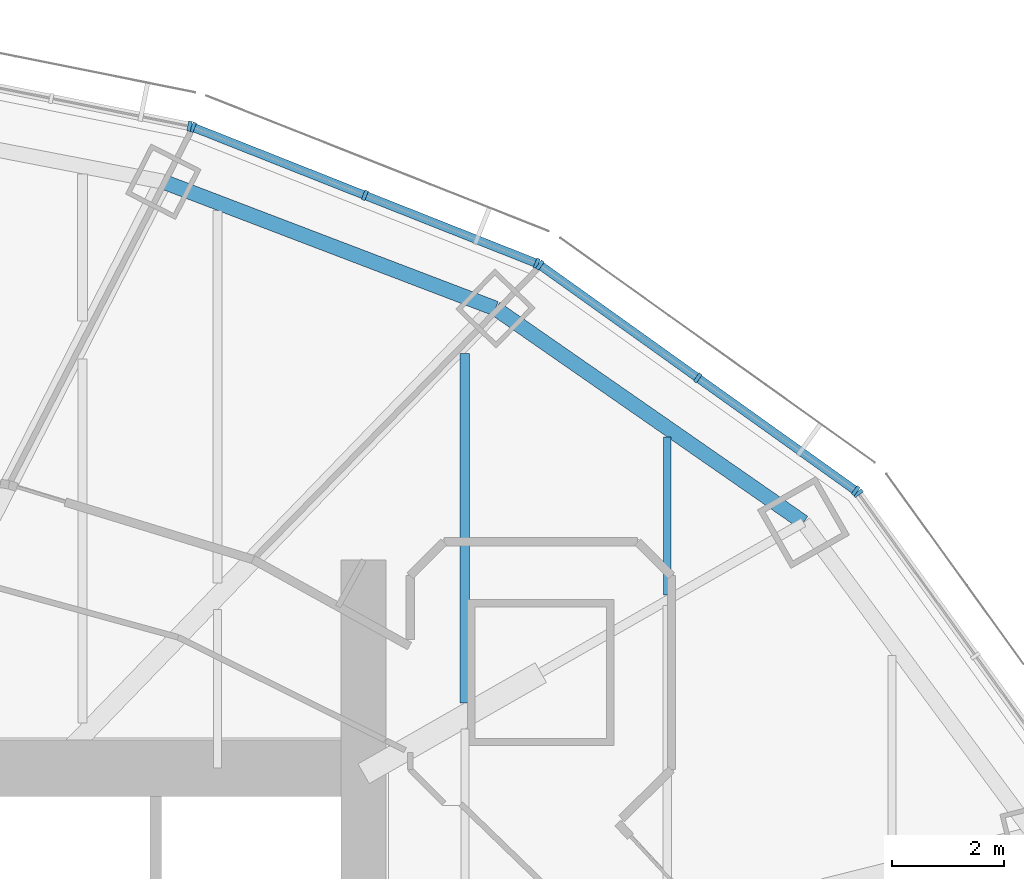
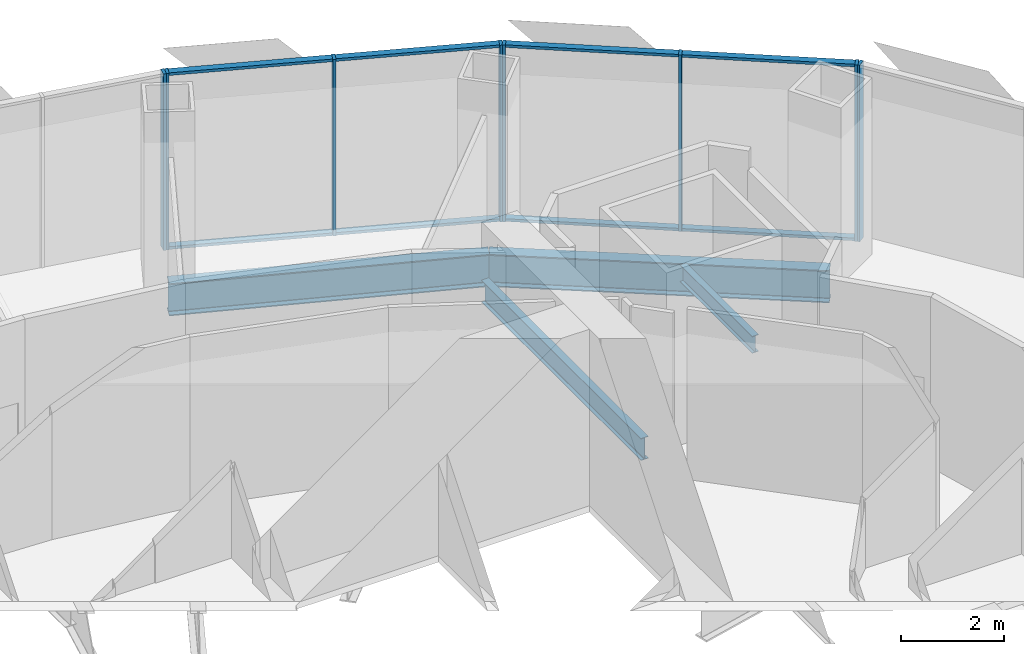
# One storey, part 9 of 19: 16 members, 4 beams, 4 elements without a shape of their own.
"""IFC4 building model written with IfcOpenShell, lengths in metres."""

from ifc_helpers import new_model, si_unit, direction, frame, origin, origin_2d, place, context, subcontext, project, spatial, rectangle, i_section, extrude, material, material_profile, profile_set, type_object, element, aggregate, save


model = new_model("IFC4")

# Units and contexts
model_context = context("Model", 3, precision=1e-05, world=origin(), true_north=direction((0.0, 1.0)))
body_context = subcontext(model_context, "Body", "Model", "MODEL_VIEW")
ifc_project = project(units=[si_unit("LENGTHUNIT", "METRE"), si_unit("AREAUNIT", "SQUARE_METRE"), si_unit("VOLUMEUNIT", "CUBIC_METRE"), si_unit("PLANEANGLEUNIT", "RADIAN"), si_unit("MASSUNIT", "GRAM", prefix="KILO")], contexts=[model_context])

# Site, building, storey
site_placement = place(None, origin())
site = spatial("IfcSite", under=ifc_project, at=site_placement, CompositionType="ELEMENT")
building_placement = place(site_placement, origin())
building = spatial("IfcBuilding", under=site, at=building_placement, Name="Lantaw Convention Tower", CompositionType="ELEMENT")
storey_placement = place(building_placement, frame((0.0, 0.0, 245.199951171875)))
storey = spatial("IfcBuildingStorey", under=building, at=storey_placement, Name="L57", CompositionType="ELEMENT", Elevation=245.199951171875)

# Beams
ifc_material_1 = material(Name="Steel ASTM A992", Category="steel")
ifc_material_profile_1 = material_profile(ifc_material_1, i_section(OverallWidth=0.2666015625, OverallDepth=0.76953125, WebThickness=0.015625, FlangeThickness=0.025390625, FilletRadius=0.0126953125, at=origin_2d()), Name="W30X132")
ifc_profile_set_1 = profile_set([ifc_material_profile_1], Name="Steel ASTM A992")
beam_type_1 = type_object("IfcBeamType", Name="Beam E W30X132", PredefinedType="SPANDREL", material=ifc_profile_set_1)
beam_1_placement = place(storey_placement, frame((20.423095703125, 11.67041015625, -0.53466796875), z_axis=(-0.82135329406, 0.570419815869, 0.0), x_axis=(-0.570419815869, -0.82135329406, 0.0)))
element("IfcBeam", 1, at=beam_1_placement, inside=storey, type_object=beam_type_1, Name="Edge beam 3", PredefinedType="SPANDREL", context=body_context, shape_type="SweptSolid", body=[
    extrude(i_section(OverallWidth=0.2666015625, OverallDepth=0.76953125, WebThickness=0.015625, FlangeThickness=0.025390625, FilletRadius=0.0126953125, at=origin_2d()), origin(), (0.0, 0.0, 1.0), 6.67041015625),
])
beam_2_placement = place(storey_placement, frame((14.9443359375, 15.475341796875, -0.53466796875), z_axis=(-0.934234988, 0.356658081637, 0.0), x_axis=(-0.356658081637, -0.934234988, 0.0)))
element("IfcBeam", 2, at=beam_2_placement, inside=storey, type_object=beam_type_1, Name="Edge beam 4", PredefinedType="SPANDREL", context=body_context, shape_type="SweptSolid", body=[
    extrude(i_section(OverallWidth=0.2666015625, OverallDepth=0.76953125, WebThickness=0.015625, FlangeThickness=0.025390625, FilletRadius=0.0126953125, at=origin_2d()), origin(), (0.0, 0.0, 1.0), 6.32568359375),
])
ifc_material_profile_2 = material_profile(ifc_material_1, i_section(OverallWidth=0.140380859375, OverallDepth=0.40380859375, WebThickness=0.007080078125, FlangeThickness=0.01123046875, FilletRadius=0.01025390625, at=origin_2d()), Name="W16X31")
ifc_profile_set_2 = profile_set([ifc_material_profile_2], Name="Steel ASTM A992")
beam_type_2 = type_object("IfcBeamType", Name="Beam J W16X31", PredefinedType="JOIST", material=ifc_profile_set_2)
beam_3_placement = place(storey_placement, frame((18.0, 10.380859375, -0.351806640625), z_axis=(0.0, 1.0, 0.0), x_axis=(-1.0, 0.0, 0.0)))
element("IfcBeam", 3, at=beam_3_placement, inside=storey, type_object=beam_type_2, Name="Floor joist", PredefinedType="JOIST", context=body_context, shape_type="SweptSolid", body=[
    extrude(i_section(OverallWidth=0.140380859375, OverallDepth=0.40380859375, WebThickness=0.007080078125, FlangeThickness=0.01123046875, FilletRadius=0.01025390625, at=origin_2d()), origin(), (0.0, 0.0, 1.0), 2.81005859375),
])
ifc_material_profile_3 = material_profile(ifc_material_1, i_section(OverallWidth=0.1650390625, OverallDepth=0.52587890625, WebThickness=0.0087890625, FlangeThickness=0.011474609375, FilletRadius=0.0126953125, at=origin_2d()), Name="W21X44")
ifc_profile_set_3 = profile_set([ifc_material_profile_3], Name="Steel ASTM A992")
beam_type_3 = type_object("IfcBeamType", Name="Beam J W21X44", PredefinedType="JOIST", material=ifc_profile_set_3)
beam_4_placement = place(storey_placement, frame((14.39990234375, 8.461181640625, -0.412841796875), z_axis=(0.0, 1.0, 0.0), x_axis=(-1.0, 0.0, 0.0)))
element("IfcBeam", 4, at=beam_4_placement, inside=storey, type_object=beam_type_3, Name="Floor joist", PredefinedType="JOIST", context=body_context, shape_type="SweptSolid", body=[
    extrude(i_section(OverallWidth=0.1650390625, OverallDepth=0.52587890625, WebThickness=0.0087890625, FlangeThickness=0.011474609375, FilletRadius=0.0126953125, at=origin_2d()), origin(), (0.0, 0.0, 1.0), 6.214599609375),
])

# Curtain wall, member
ifc_material_2 = material(Name="Aluminium framed curtain wall", Category="aluminium")
curtain_wall_type = type_object("IfcCurtainWallType", Name="Office curtain wall high rise, pale aluminium", PredefinedType="USERDEFINED", material=ifc_material_2)
curtain_wall_1_placement = place(storey_placement, origin())
curtain_wall_1 = element("IfcCurtainWall", 5, at=curtain_wall_1_placement, inside=storey, type_object=curtain_wall_type, Name="Office curtain wall high rise, pale aluminium L57", ObjectType="UNITISED CURTAIN WALL", PredefinedType="USERDEFINED")
ifc_material_3 = material(Name="Aluminium 6063-T6", Category="aluminium")
ifc_material_profile_4 = material_profile(ifc_material_3, rectangle(XDim=0.179931640625, YDim=0.06494140625, at=origin_2d()), Name="CW-O2 mullion 65x180")
ifc_profile_set_4 = profile_set([ifc_material_profile_4], Name="Aluminium 6063-T6")
member_type_1 = type_object("IfcMemberType", Name="CW-O2 mullion 65x180", PredefinedType="MULLION", material=ifc_profile_set_4)
member_1_placement = place(storey_placement, frame((21.397216796875, 12.189697265625, -0.14990234375), z_axis=(0.0, 0.0, 1.0), x_axis=(-0.810919559405, -0.585157643865, 0.0)))
member_1 = element("IfcMember", 6, at=member_1_placement, type_object=member_type_1, Name="CW-O2 mullion 3", PredefinedType="MULLION", context=body_context, shape_type="SweptSolid", body=[
    extrude(rectangle(XDim=0.179931640625, YDim=0.06494140625, at=origin_2d()), origin(), (0.0, 0.0, 1.0), 4.199951171875),
])
aggregate(curtain_wall_1, [member_1])

# Curtain wall, members
curtain_wall_2_placement = place(storey_placement, origin())
curtain_wall_2 = element("IfcCurtainWall", 7, at=curtain_wall_2_placement, inside=storey, type_object=curtain_wall_type, Name="Office curtain wall high rise, pale aluminium L57", ObjectType="UNITISED CURTAIN WALL", PredefinedType="USERDEFINED")
member_2_placement = place(storey_placement, frame((21.3515625, 12.23486328125, -0.14990234375), z_axis=(0.0, 0.0, 1.0), x_axis=(-0.581323487281, -0.813672540482, 0.0)))
member_2 = element("IfcMember", 8, at=member_2_placement, type_object=member_type_1, Name="CW-O2 mullion 1", PredefinedType="MULLION", context=body_context, shape_type="SweptSolid", body=[
    extrude(rectangle(XDim=0.179931640625, YDim=0.06494140625, at=origin_2d()), origin(), (0.0, 0.0, 1.0), 4.199951171875),
])
member_3_placement = place(storey_placement, frame((18.543212890625, 14.241455078125, -0.14990234375), z_axis=(0.0, 0.0, 1.0), x_axis=(-0.581323487281, -0.813672540482, 0.0)))
member_3 = element("IfcMember", 9, at=member_3_placement, type_object=member_type_1, Name="CW-O2 mullion 2", PredefinedType="MULLION", context=body_context, shape_type="SweptSolid", body=[
    extrude(rectangle(XDim=0.179931640625, YDim=0.06494140625, at=origin_2d()), origin(), (0.0, 0.0, 1.0), 4.199951171875),
])
member_4_placement = place(storey_placement, frame((15.73486328125, 16.247802734375, -0.14990234375), z_axis=(0.0, 0.0, 1.0), x_axis=(-0.581323487281, -0.813672540482, 0.0)))
member_4 = element("IfcMember", 10, at=member_4_placement, type_object=member_type_1, Name="CW-O2 mullion 3", PredefinedType="MULLION", context=body_context, shape_type="SweptSolid", body=[
    extrude(rectangle(XDim=0.179931640625, YDim=0.06494140625, at=origin_2d()), origin(), (0.0, 0.0, 1.0), 4.199951171875),
])

curtain_wall_3_placement = place(storey_placement, origin())
curtain_wall_3 = element("IfcCurtainWall", 11, at=curtain_wall_3_placement, inside=storey, type_object=curtain_wall_type, Name="Office curtain wall high rise, pale aluminium L57", ObjectType="UNITISED CURTAIN WALL", PredefinedType="USERDEFINED")
member_5_placement = place(storey_placement, frame((15.67822265625, 16.278564453125, -0.14990234375), z_axis=(0.0, 0.0, 1.0), x_axis=(-0.368162315252, -0.929761533743, 0.0)))
member_5 = element("IfcMember", 12, at=member_5_placement, type_object=member_type_1, Name="CW-O2 mullion 1", PredefinedType="MULLION", context=body_context, shape_type="SweptSolid", body=[
    extrude(rectangle(XDim=0.179931640625, YDim=0.06494140625, at=origin_2d()), origin(), (0.0, 0.0, 1.0), 4.199951171875),
])
member_6_placement = place(storey_placement, frame((12.621337890625, 17.4892578125, -0.14990234375), z_axis=(0.0, 0.0, 1.0), x_axis=(-0.368162315252, -0.929761533743, 0.0)))
member_6 = element("IfcMember", 13, at=member_6_placement, type_object=member_type_1, Name="CW-O2 mullion 2", PredefinedType="MULLION", context=body_context, shape_type="SweptSolid", body=[
    extrude(rectangle(XDim=0.179931640625, YDim=0.06494140625, at=origin_2d()), origin(), (0.0, 0.0, 1.0), 4.199951171875),
])
member_7_placement = place(storey_placement, frame((9.564208984375, 18.69970703125, -0.14990234375), z_axis=(0.0, 0.0, 1.0), x_axis=(-0.368162315252, -0.929761533743, 0.0)))
member_7 = element("IfcMember", 14, at=member_7_placement, type_object=member_type_1, Name="CW-O2 mullion 3", PredefinedType="MULLION", context=body_context, shape_type="SweptSolid", body=[
    extrude(rectangle(XDim=0.179931640625, YDim=0.06494140625, at=origin_2d()), origin(), (0.0, 0.0, 1.0), 4.199951171875),
])

# Curtain wall, member
curtain_wall_4_placement = place(storey_placement, origin())
curtain_wall_4 = element("IfcCurtainWall", 15, at=curtain_wall_4_placement, inside=storey, type_object=curtain_wall_type, Name="Office curtain wall high rise, pale aluminium L57", ObjectType="UNITISED CURTAIN WALL", PredefinedType="USERDEFINED")
member_8_placement = place(storey_placement, frame((9.502197265625, 18.718017578125, -0.14990234375), z_axis=(0.0, 0.0, 1.0), x_axis=(-0.197183095987, -0.980366679695, 0.0)))
member_8 = element("IfcMember", 16, at=member_8_placement, type_object=member_type_1, Name="CW-O2 mullion 1", PredefinedType="MULLION", context=body_context, shape_type="SweptSolid", body=[
    extrude(rectangle(XDim=0.179931640625, YDim=0.06494140625, at=origin_2d()), origin(), (0.0, 0.0, 1.0), 4.199951171875),
])
aggregate(curtain_wall_4, [member_8])

# Member
ifc_material_profile_5 = material_profile(ifc_material_3, rectangle(XDim=0.14990234375, YDim=0.06494140625, at=origin_2d()), Name="CW-O2 transom 65x150")
ifc_profile_set_5 = profile_set([ifc_material_profile_5], Name="Aluminium 6063-T6")
member_type_2 = type_object("IfcMemberType", Name="CW-O2 transom 65x150", PredefinedType="USERDEFINED", material=ifc_profile_set_5)
member_9_placement = place(storey_placement, frame((21.3251953125, 12.25390625, -0.117431640625), z_axis=(-0.813679882592, 0.581313210468, 0.0), x_axis=(-0.581313210468, -0.813679882592, 0.0)))
member_9 = element("IfcMember", 17, at=member_9_placement, type_object=member_type_2, Name="CW-O2 transom 1.1", ObjectType="TRANSOM", PredefinedType="USERDEFINED", context=body_context, shape_type="SweptSolid", body=[
    extrude(rectangle(XDim=0.14990234375, YDim=0.06494140625, at=origin_2d()), origin(), (0.0, 0.0, 1.0), 3.38623046875),
])

member_10_placement = place(storey_placement, frame((21.3251953125, 12.25390625, 4.017578125), z_axis=(-0.813679882592, 0.581313210468, 0.0), x_axis=(-0.581313210468, -0.813679882592, 0.0)))
member_10 = element("IfcMember", 18, at=member_10_placement, type_object=member_type_2, Name="CW-O2 transom 1.2", ObjectType="TRANSOM", PredefinedType="USERDEFINED", context=body_context, shape_type="SweptSolid", body=[
    extrude(rectangle(XDim=0.14990234375, YDim=0.06494140625, at=origin_2d()), origin(), (0.0, 0.0, 1.0), 3.38623046875),
])

member_11_placement = place(storey_placement, frame((18.516845703125, 14.26025390625, -0.117431640625), z_axis=(-0.813645780821, 0.581360940683, 0.0), x_axis=(-0.581360940683, -0.813645780821, 0.0)))
member_11 = element("IfcMember", 19, at=member_11_placement, type_object=member_type_2, Name="CW-O2 transom 2.1", ObjectType="TRANSOM", PredefinedType="USERDEFINED", context=body_context, shape_type="SweptSolid", body=[
    extrude(rectangle(XDim=0.14990234375, YDim=0.06494140625, at=origin_2d()), origin(), (0.0, 0.0, 1.0), 3.386474609375),
])

member_12_placement = place(storey_placement, frame((18.516845703125, 14.26025390625, 4.017578125), z_axis=(-0.813645780821, 0.581360940683, 0.0), x_axis=(-0.581360940683, -0.813645780821, 0.0)))
member_12 = element("IfcMember", 20, at=member_12_placement, type_object=member_type_2, Name="CW-O2 transom 2.2", ObjectType="TRANSOM", PredefinedType="USERDEFINED", context=body_context, shape_type="SweptSolid", body=[
    extrude(rectangle(XDim=0.14990234375, YDim=0.06494140625, at=origin_2d()), origin(), (0.0, 0.0, 1.0), 3.386474609375),
])

aggregate(curtain_wall_2, [member_2, member_3, member_4, member_9, member_10, member_11, member_12])

member_13_placement = place(storey_placement, frame((15.648193359375, 16.29052734375, -0.117431640625), z_axis=(-0.929740712354, 0.368214893495, 0.0), x_axis=(-0.368214893495, -0.929740712354, 0.0)))
member_13 = element("IfcMember", 21, at=member_13_placement, type_object=member_type_2, Name="CW-O2 transom 1.1", ObjectType="TRANSOM", PredefinedType="USERDEFINED", context=body_context, shape_type="SweptSolid", body=[
    extrude(rectangle(XDim=0.14990234375, YDim=0.06494140625, at=origin_2d()), origin(), (0.0, 0.0, 1.0), 3.22314453125),
])

member_14_placement = place(storey_placement, frame((15.648193359375, 16.29052734375, 4.017578125), z_axis=(-0.929740712354, 0.368214893495, 0.0), x_axis=(-0.368214893495, -0.929740712354, 0.0)))
member_14 = element("IfcMember", 22, at=member_14_placement, type_object=member_type_2, Name="CW-O2 transom 1.2", ObjectType="TRANSOM", PredefinedType="USERDEFINED", context=body_context, shape_type="SweptSolid", body=[
    extrude(rectangle(XDim=0.14990234375, YDim=0.06494140625, at=origin_2d()), origin(), (0.0, 0.0, 1.0), 3.22314453125),
])

member_15_placement = place(storey_placement, frame((12.591064453125, 17.501220703125, -0.117431640625), z_axis=(-0.929766642946, 0.368149412149, 0.0), x_axis=(-0.368149412149, -0.929766642946, 0.0)))
member_15 = element("IfcMember", 23, at=member_15_placement, type_object=member_type_2, Name="CW-O2 transom 2.1", ObjectType="TRANSOM", PredefinedType="USERDEFINED", context=body_context, shape_type="SweptSolid", body=[
    extrude(rectangle(XDim=0.14990234375, YDim=0.06494140625, at=origin_2d()), origin(), (0.0, 0.0, 1.0), 3.222900390625),
])

member_16_placement = place(storey_placement, frame((12.591064453125, 17.501220703125, 4.017578125), z_axis=(-0.929766642946, 0.368149412149, 0.0), x_axis=(-0.368149412149, -0.929766642946, 0.0)))
member_16 = element("IfcMember", 24, at=member_16_placement, type_object=member_type_2, Name="CW-O2 transom 2.2", ObjectType="TRANSOM", PredefinedType="USERDEFINED", context=body_context, shape_type="SweptSolid", body=[
    extrude(rectangle(XDim=0.14990234375, YDim=0.06494140625, at=origin_2d()), origin(), (0.0, 0.0, 1.0), 3.222900390625),
])

aggregate(curtain_wall_3, [member_5, member_6, member_7, member_13, member_14, member_15, member_16])

save(model, "model.ifc")
